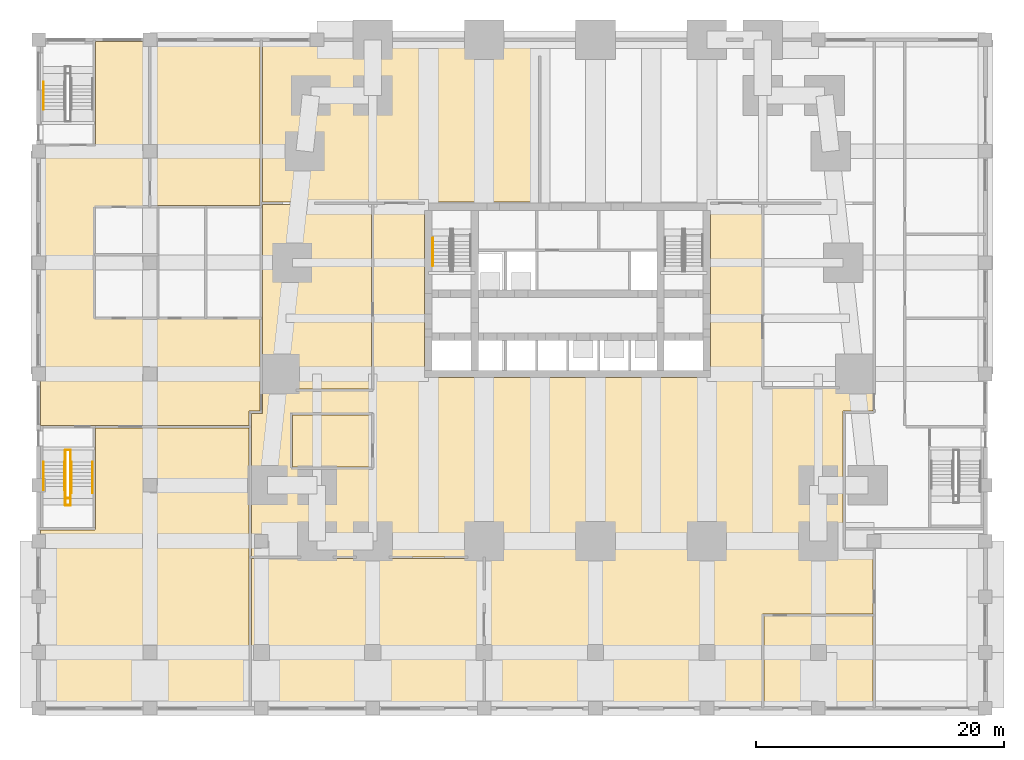
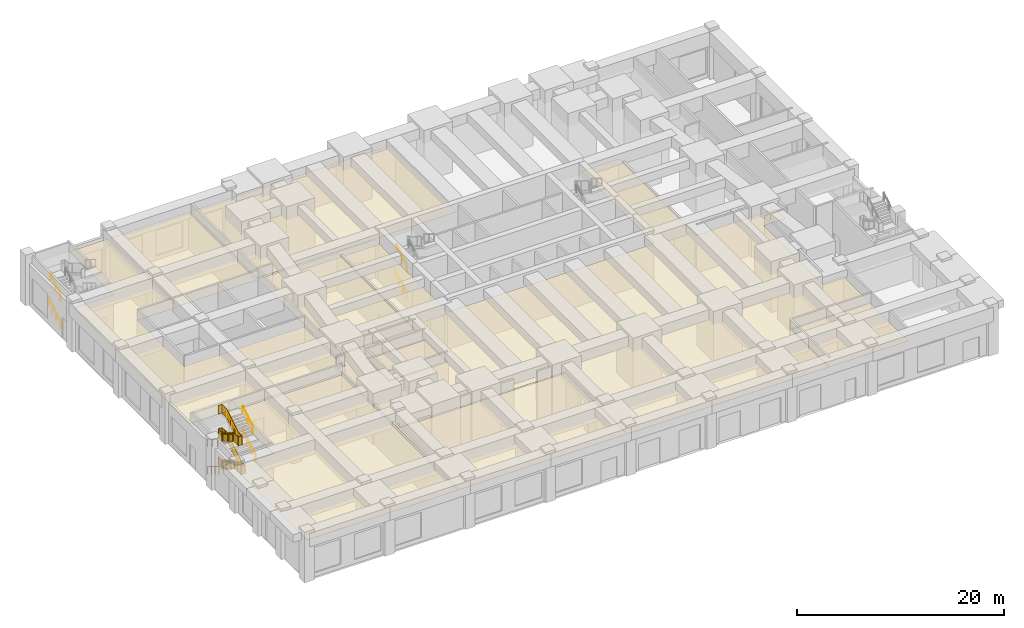
# One storey, part 9 of 13: 16 railings, 9 coverings.
"""IFC4 building model written with IfcOpenShell, lengths in metres."""

import ifcopenshell
import ifcopenshell.guid

model = None  # the IFC model being written
_history = None  # IfcOwnerHistory: only IFC2X3 demands one
_inside = {}  # id of a spatial element -> (the spatial element, [elements in it])
_under = {}  # id of a project, library or spatial element -> (it, [spatial elements below it])
_declared = {}  # id of a project -> (the project, [libraries it declares])
_typed = {}  # id of a type object -> (the type object, [elements of that type])
_made_of = {}  # id of a material, layer set ... -> (it, [elements and type objects made of it])


def new_model(schema):
    """Start an empty IFC model of exactly this schema.

    Asked for "IFC4X3", IfcOpenShell would pick the latest addendum, in which some entities
    have other attributes; the version numbers below select the first issue.
    IFC2X3 requires an IfcOwnerHistory on every rooted entity: one is made here for all.
    """
    global model, _history
    if schema == "IFC4X3":
        model = ifcopenshell.file(schema_version=(4, 3, 0, 0))
    else:
        model = ifcopenshell.file(schema=schema)
    _inside.clear()
    _under.clear()
    _declared.clear()
    _typed.clear()
    _made_of.clear()
    _history = None
    if model.schema == "IFC2X3":
        org = make("IfcOrganization", Name="unknown")
        user = make(
            "IfcPersonAndOrganization",
            ThePerson=make("IfcPerson", FamilyName="unknown"),
            TheOrganization=org,
        )
        app = make(
            "IfcApplication",
            ApplicationDeveloper=org,
            Version="unknown",
            ApplicationFullName="unknown",
            ApplicationIdentifier="unknown",
        )
        _history = make(
            "IfcOwnerHistory",
            OwningUser=user,
            OwningApplication=app,
            ChangeAction="ADDED",
            CreationDate=0,
        )
    return model


def make(cls, **values):
    """One entity of the class cls with the attributes given. An attribute that is None is left unset."""
    return model.create_entity(
        cls, **{name: value for name, value in values.items() if value is not None}
    )


def rooted(cls, **values):
    """An entity with a GlobalId (a new one), such as an element, a storey or a relation."""
    return make(cls, GlobalId=ifcopenshell.guid.new(), OwnerHistory=_history, **values)


def si_unit(unit_type, name, prefix=None):
    """IfcSIUnit, for example si_unit("LENGTHUNIT", "METRE", prefix="MILLI")."""
    return make("IfcSIUnit", UnitType=unit_type, Prefix=prefix, Name=name)


def assignment(units):
    """IfcUnitAssignment: the units of a project."""
    return None if units is None else make("IfcUnitAssignment", Units=units)


def point(xyz):
    """IfcCartesianPoint."""
    return None if xyz is None else make("IfcCartesianPoint", Coordinates=xyz)


def direction(xyz):
    """IfcDirection."""
    return None if xyz is None else make("IfcDirection", DirectionRatios=xyz)


def frame(location, z_axis=None, x_axis=None):
    """IfcAxis2Placement3D, a coordinate frame: its origin and axes. An axis left out is left unset."""
    return make(
        "IfcAxis2Placement3D",
        Location=point(location),
        Axis=direction(z_axis),
        RefDirection=direction(x_axis),
    )


def frame_2d(location, x_axis=None):
    """IfcAxis2Placement2D, a coordinate frame in the plane: its origin and x axis."""
    return make(
        "IfcAxis2Placement2D", Location=point(location), RefDirection=direction(x_axis)
    )


def origin():
    """The frame at (0, 0, 0) with its axes left unset."""
    return frame((0.0, 0.0, 0.0))


def origin_2d():
    """The frame at (0, 0) in the plane with its x axis left unset."""
    return frame_2d((0.0, 0.0))


def place(relative_to, where):
    """IfcLocalPlacement: puts the frame where relative to a parent placement (None: the world)."""
    return make(
        "IfcLocalPlacement", PlacementRelTo=relative_to, RelativePlacement=where
    )


def context(
    kind, dimensions, precision=None, world=None, true_north=None, identifier=None
):
    """IfcGeometricRepresentationContext, for example the 3D "Model" context."""
    return make(
        "IfcGeometricRepresentationContext",
        ContextIdentifier=identifier,
        ContextType=kind,
        CoordinateSpaceDimension=dimensions,
        Precision=precision,
        WorldCoordinateSystem=world,
        TrueNorth=true_north,
    )


def subcontext(parent, identifier, kind, view, scale=None):
    """IfcGeometricRepresentationSubContext, for example "Body" below "Model"."""
    return make(
        "IfcGeometricRepresentationSubContext",
        ContextIdentifier=identifier,
        ContextType=kind,
        ParentContext=parent,
        TargetScale=scale,
        TargetView=view,
    )


def project(units=None, contexts=None):
    """IfcProject with its units and contexts."""
    return rooted(
        "IfcProject",
        Name="project",
        RepresentationContexts=contexts,
        UnitsInContext=assignment(units),
    )


def spatial(cls, under=None, at=None, **own):
    """A site, building, storey or space (cls), placed at a placement, below another one or the project."""
    s = rooted(cls, ObjectPlacement=at, **own)
    if under is not None:
        _under.setdefault(under.id(), (under, []))[1].append(s)
    return s


def polyline(points):
    """IfcPolyline through the points."""
    return make("IfcPolyline", Points=[point(p) for p in points])


def profile(cls, at=None, kind="AREA", **sizes):
    """A parametric profile (cls). Its sizes go by their IFC names, for example OverallWidth=200.0."""
    return make(cls, ProfileType=kind, Position=at, **sizes)


def circle(**sizes):
    """IfcCircleProfileDef."""
    return profile("IfcCircleProfileDef", **sizes)


def outline(outer, holes=None, kind="AREA"):
    """IfcArbitraryClosedProfileDef: a profile drawn as a closed curve; with holes, ...WithVoids."""
    if holes is None:
        return make("IfcArbitraryClosedProfileDef", ProfileType=kind, OuterCurve=outer)
    return make(
        "IfcArbitraryProfileDefWithVoids",
        ProfileType=kind,
        OuterCurve=outer,
        InnerCurves=holes,
    )


def extrude(swept, where, along, depth):
    """IfcExtrudedAreaSolid: the profile swept, set in the frame where, extruded along a direction by depth."""
    return make(
        "IfcExtrudedAreaSolid",
        SweptArea=swept,
        Position=where,
        ExtrudedDirection=direction(along),
        Depth=depth,
    )


def shape(context_of_items, identifier, shape_type, items):
    """IfcShapeRepresentation: the items that make up one representation, for example the "Body"."""
    return make(
        "IfcShapeRepresentation",
        ContextOfItems=context_of_items,
        RepresentationIdentifier=identifier,
        RepresentationType=shape_type,
        Items=items,
    )


def material(Name=None, Category=None):
    """IfcMaterial."""
    return make("IfcMaterial", Name=Name, Category=Category)


def layer(
    of_material, thickness, ventilated=None, Name=None, Category=None, Priority=None
):
    """IfcMaterialLayer: one layer of a wall or slab, of a material (None: an air gap)."""
    return make(
        "IfcMaterialLayer",
        Material=of_material,
        LayerThickness=thickness,
        IsVentilated=ventilated,
        Name=Name,
        Category=Category,
        Priority=Priority,
    )


def layer_set(layers, Name=None):
    """IfcMaterialLayerSet."""
    return make("IfcMaterialLayerSet", MaterialLayers=layers, LayerSetName=Name)


def made_of(thing, what):
    """Note that an element or type object is made of a material, layer set ...; save() writes the relation."""
    if what is not None:
        _made_of.setdefault(what.id(), (what, []))[1].append(thing)
    return thing


def type_object(cls, material=None, **own):
    """A type object (cls), such as IfcWallType, which elements share."""
    return made_of(rooted(cls, **own), material)


def element(
    cls,
    number,
    at=None,
    inside=None,
    cuts=None,
    type_object=None,
    material=None,
    context=None,
    identifier="Body",
    shape_type=None,
    held_by="IfcProductDefinitionShape",
    body=None,
    shapes=None,
    **own,
):
    """One element of the class cls, such as IfcWall. Its Tag is "e" and its number.

    at: its placement. inside: the storey or other place that contains it. cuts: it is an
    opening in that element (IfcRelVoidsElement). A single representation is given by context,
    identifier, shape_type and body (its items); several are given by shapes. held_by: the class
    of the entity that holds the representations. save() writes the other relations.
    """
    e = rooted(cls, Tag="e%d" % number, ObjectPlacement=at, **own)
    if body is not None:
        shapes = [shape(context, identifier, shape_type, body)]
    if shapes is not None:
        e.Representation = make(held_by, Representations=shapes)
    if inside is not None:
        _inside.setdefault(inside.id(), (inside, []))[1].append(e)
    if cuts is not None:
        rooted(
            "IfcRelVoidsElement", RelatingBuildingElement=cuts, RelatedOpeningElement=e
        )
    if type_object is not None:
        _typed.setdefault(type_object.id(), (type_object, []))[1].append(e)
    return made_of(e, material)


def aggregate(whole, parts):
    """IfcRelAggregates: a whole, such as a stair, and the parts it consists of."""
    return rooted("IfcRelAggregates", RelatingObject=whole, RelatedObjects=parts)


def save(model, path):
    """Write the relations noted so far, then the file.

    IfcRelAggregates (storeys below a building ...), IfcRelContainedInSpatialStructure (elements
    in a storey), IfcRelDefinesByType, IfcRelAssociatesMaterial and IfcRelDeclares: one each for
    every whole, place, type object, material and project.
    """
    for whole, parts in _under.values():
        aggregate(whole, parts)
    for where, things in _inside.values():
        rooted(
            "IfcRelContainedInSpatialStructure",
            RelatedElements=things,
            RelatingStructure=where,
        )
    for kind, things in _typed.values():
        rooted("IfcRelDefinesByType", RelatedObjects=things, RelatingType=kind)
    for what, things in _made_of.values():
        rooted("IfcRelAssociatesMaterial", RelatedObjects=things, RelatingMaterial=what)
    for by, libraries in _declared.values():
        rooted("IfcRelDeclares", RelatingContext=by, RelatedDefinitions=libraries)
    model.write(path)


model = new_model("IFC4")

# Units and contexts
model_context = context("Model", 3, precision=1e-05, world=origin(), true_north=direction((0.0, 1.0)))
body_context = subcontext(model_context, "Body", "Model", "MODEL_VIEW")
ifc_project = project(units=[si_unit("LENGTHUNIT", "METRE"), si_unit("AREAUNIT", "SQUARE_METRE"), si_unit("VOLUMEUNIT", "CUBIC_METRE"), si_unit("PLANEANGLEUNIT", "RADIAN"), si_unit("MASSUNIT", "GRAM", prefix="KILO")], contexts=[model_context])

# Site, building, storey
site_placement = place(None, origin())
site = spatial("IfcSite", under=ifc_project, at=site_placement, CompositionType="ELEMENT")
building_placement = place(site_placement, origin())
building = spatial("IfcBuilding", under=site, at=building_placement, Name="Kilele Tower Hotel", CompositionType="ELEMENT")
storey_placement = place(building_placement, origin())
storey = spatial("IfcBuildingStorey", under=building, at=storey_placement, Name="L00", CompositionType="ELEMENT", Elevation=0.0)

# Railings
ifc_material_1 = material(Name="Steel handrail", Category="steel")
railing_type_1 = type_object("IfcRailingType", Name="Handrail 900", PredefinedType="HANDRAIL", material=ifc_material_1)
railing_1_placement = place(storey_placement, frame((13.85009765625, 22.239990234375, 0.17138671875)))
element("IfcRailing", 1, at=railing_1_placement, inside=storey, type_object=railing_type_1, Name="Handrail ST1 flight 1", PredefinedType="HANDRAIL", context=body_context, shape_type="SweptSolid", body=[
    extrude(circle(Radius=0.02490234375, at=origin_2d()), frame((0.0, 0.0, 0.875), z_axis=(0.0, 0.852824270871, 0.522198011308), x_axis=(-1.0, 0.0, 0.0)), (0.0, 0.0, 1.0), 2.62646484375),
    extrude(circle(Radius=0.02001953125, at=origin_2d()), origin(), (0.0, 0.0, 1.0), 0.849853515625),
    extrude(circle(Radius=0.02001953125, at=origin_2d()), frame((0.0, 0.74658203125, 0.457275390625)), (0.0, 0.0, 1.0), 0.849853515625),
    extrude(circle(Radius=0.02001953125, at=origin_2d()), frame((0.0, 1.493408203125, 0.914306640625)), (0.0, 0.0, 1.0), 0.849853515625),
    extrude(circle(Radius=0.02001953125, at=origin_2d()), frame((0.0, 2.239990234375, 1.37158203125)), (0.0, 0.0, 1.0), 0.849853515625),
])
railing_2_placement = place(storey_placement, frame((13.85009765625, 22.239990234375, 3.428466796875)))
element("IfcRailing", 2, at=railing_2_placement, inside=storey, type_object=railing_type_1, Name="Handrail ST1 flight 3", PredefinedType="HANDRAIL", context=body_context, shape_type="SweptSolid", body=[
    extrude(circle(Radius=0.02490234375, at=origin_2d()), frame((0.0, 0.0, 0.875), z_axis=(0.0, 0.852808822406, 0.522223240029), x_axis=(-1.0, 0.0, 0.0)), (0.0, 0.0, 1.0), 2.29833984375),
    extrude(circle(Radius=0.02001953125, at=origin_2d()), origin(), (0.0, 0.0, 1.0), 0.849853515625),
    extrude(circle(Radius=0.02001953125, at=origin_2d()), frame((0.0, 0.97998046875, 0.60009765625)), (0.0, 0.0, 1.0), 0.849853515625),
    extrude(circle(Radius=0.02001953125, at=origin_2d()), frame((0.0, 1.9599609375, 1.2001953125)), (0.0, 0.0, 1.0), 0.849853515625),
])
railing_3_placement = place(storey_placement, frame((-17.60009765625, 34.864990234375, 0.17138671875)))
element("IfcRailing", 3, at=railing_3_placement, inside=storey, type_object=railing_type_1, Name="Handrail ST3 flight 1", PredefinedType="HANDRAIL", context=body_context, shape_type="SweptSolid", body=[
    extrude(circle(Radius=0.02490234375, at=origin_2d()), frame((0.0, 0.0, 0.875), z_axis=(0.0, 0.852824270871, 0.522198011308), x_axis=(-1.0, 0.0, 0.0)), (0.0, 0.0, 1.0), 2.62646484375),
    extrude(circle(Radius=0.02001953125, at=origin_2d()), origin(), (0.0, 0.0, 1.0), 0.849853515625),
    extrude(circle(Radius=0.02001953125, at=origin_2d()), frame((0.0, 0.74658203125, 0.457275390625)), (0.0, 0.0, 1.0), 0.849853515625),
    extrude(circle(Radius=0.02001953125, at=origin_2d()), frame((0.0, 1.493408203125, 0.914306640625)), (0.0, 0.0, 1.0), 0.849853515625),
    extrude(circle(Radius=0.02001953125, at=origin_2d()), frame((0.0, 2.239990234375, 1.37158203125)), (0.0, 0.0, 1.0), 0.849853515625),
])
railing_4_placement = place(storey_placement, frame((-17.60009765625, 34.864990234375, 3.428466796875)))
element("IfcRailing", 4, at=railing_4_placement, inside=storey, type_object=railing_type_1, Name="Handrail ST3 flight 3", PredefinedType="HANDRAIL", context=body_context, shape_type="SweptSolid", body=[
    extrude(circle(Radius=0.02490234375, at=origin_2d()), frame((0.0, 0.0, 0.875), z_axis=(0.0, 0.852808822406, 0.522223240029), x_axis=(-1.0, 0.0, 0.0)), (0.0, 0.0, 1.0), 2.29833984375),
    extrude(circle(Radius=0.02001953125, at=origin_2d()), origin(), (0.0, 0.0, 1.0), 0.849853515625),
    extrude(circle(Radius=0.02001953125, at=origin_2d()), frame((0.0, 0.97998046875, 0.60009765625)), (0.0, 0.0, 1.0), 0.849853515625),
    extrude(circle(Radius=0.02001953125, at=origin_2d()), frame((0.0, 1.9599609375, 1.2001953125)), (0.0, 0.0, 1.0), 0.849853515625),
])
for number, where, name in (
    (5, (-17.60009765625, 6.385009765625, 0.17138671875), "Handrail ST4 flight 1"),
    (6, (-15.89990234375, 6.385009765625, 0.17138671875), "Handrail ST4 flight 1"),
):
    element("IfcRailing", number, at=place(storey_placement, frame(where)), inside=storey, type_object=railing_type_1, Name=name, PredefinedType="HANDRAIL", context=body_context, shape_type="SweptSolid", body=[
        extrude(circle(Radius=0.02490234375, at=origin_2d()), frame((0.0, 0.0, 0.875), z_axis=(0.0, -0.852824270871, 0.522198011308), x_axis=(1.0, 0.0, 0.0)), (0.0, 0.0, 1.0), 2.62646484375),
        extrude(circle(Radius=0.02001953125, at=origin_2d()), origin(), (0.0, 0.0, 1.0), 0.849853515625),
        extrude(circle(Radius=0.02001953125, at=origin_2d()), frame((0.0, -0.74658203125, 0.457275390625)), (0.0, 0.0, 1.0), 0.849853515625),
        extrude(circle(Radius=0.02001953125, at=origin_2d()), frame((0.0, -1.493408203125, 0.914306640625)), (0.0, 0.0, 1.0), 0.849853515625),
        extrude(circle(Radius=0.02001953125, at=origin_2d()), frame((0.0, -2.239990234375, 1.37158203125)), (0.0, 0.0, 1.0), 0.849853515625),
    ])
for number, where, name in (
    (7, (-15.35009765625, 3.864990234375, 1.71435546875), "Handrail ST4 flight 2"),
    (8, (-13.64990234375, 3.864990234375, 1.71435546875), "Handrail ST4 flight 2"),
):
    element("IfcRailing", number, at=place(storey_placement, frame(where)), inside=storey, type_object=railing_type_1, Name=name, PredefinedType="HANDRAIL", context=body_context, shape_type="SweptSolid", body=[
        extrude(circle(Radius=0.02490234375, at=origin_2d()), frame((0.0, 0.0, 0.875), z_axis=(0.0, 0.852873080145, 0.522118290393), x_axis=(-1.0, 0.0, 0.0)), (0.0, 0.0, 1.0), 2.954833984375),
        extrude(circle(Radius=0.02001953125, at=origin_2d()), origin(), (0.0, 0.0, 1.0), 0.849853515625),
        extrude(circle(Radius=0.02001953125, at=origin_2d()), frame((0.0, 0.840087890625, 0.51416015625)), (0.0, 0.0, 1.0), 0.849853515625),
        extrude(circle(Radius=0.02001953125, at=origin_2d()), frame((0.0, 1.679931640625, 1.028564453125)), (0.0, 0.0, 1.0), 0.849853515625),
        extrude(circle(Radius=0.02001953125, at=origin_2d()), frame((0.0, 2.52001953125, 1.542724609375)), (0.0, 0.0, 1.0), 0.849853515625),
    ])
for number, where, name in (
    (9, (-17.60009765625, 6.385009765625, 3.428466796875), "Handrail ST4 flight 3"),
    (10, (-15.89990234375, 6.385009765625, 3.428466796875), "Handrail ST4 flight 3"),
):
    element("IfcRailing", number, at=place(storey_placement, frame(where)), inside=storey, type_object=railing_type_1, Name=name, PredefinedType="HANDRAIL", context=body_context, shape_type="SweptSolid", body=[
        extrude(circle(Radius=0.02490234375, at=origin_2d()), frame((0.0, 0.0, 0.875), z_axis=(0.0, -0.852808822406, 0.522223240029), x_axis=(1.0, 0.0, 0.0)), (0.0, 0.0, 1.0), 2.29833984375),
        extrude(circle(Radius=0.02001953125, at=origin_2d()), origin(), (0.0, 0.0, 1.0), 0.849853515625),
        extrude(circle(Radius=0.02001953125, at=origin_2d()), frame((0.0, -0.97998046875, 0.60009765625)), (0.0, 0.0, 1.0), 0.849853515625),
        extrude(circle(Radius=0.02001953125, at=origin_2d()), frame((0.0, -1.9599609375, 1.2001953125)), (0.0, 0.0, 1.0), 0.849853515625),
    ])
for number, where, name in (
    (11, (-15.35009765625, 4.425048828125, 4.800048828125), "Handrail ST4 flight 4"),
    (12, (-13.64990234375, 4.425048828125, 4.800048828125), "Handrail ST4 flight 4"),
):
    element("IfcRailing", number, at=place(storey_placement, frame(where)), inside=storey, type_object=railing_type_1, Name=name, PredefinedType="HANDRAIL", context=body_context, shape_type="SweptSolid", body=[
        extrude(circle(Radius=0.02490234375, at=origin_2d()), frame((0.0, 0.0, 0.875), z_axis=(0.0, 0.852856131449, 0.522145974847), x_axis=(-1.0, 0.0, 0.0)), (0.0, 0.0, 1.0), 2.298095703125),
        extrude(circle(Radius=0.02001953125, at=origin_2d()), origin(), (0.0, 0.0, 1.0), 0.849853515625),
        extrude(circle(Radius=0.02001953125, at=origin_2d()), frame((0.0, 0.97998046875, 0.60009765625)), (0.0, 0.0, 1.0), 0.849853515625),
        extrude(circle(Radius=0.02001953125, at=origin_2d()), frame((0.0, 1.9599609375, 1.199951171875)), (0.0, 0.0, 1.0), 0.849853515625),
    ])
ifc_material_2 = material(Name="Steel guard", Category="steel")
railing_type_2 = type_object("IfcRailingType", Name="Stair guard 1100", PredefinedType="GUARDRAIL", material=ifc_material_2)
railing_5_placement = place(storey_placement, frame((-15.840087890625, 7.35009765625, 0.0)))
element("IfcRailing", 13, at=railing_5_placement, inside=storey, type_object=railing_type_2, Name="Stair well guard ST4 flight 1", PredefinedType="GUARDRAIL", context=body_context, shape_type="SweptSolid", body=[
    extrude(circle(Radius=0.02490234375, at=origin_2d()), frame((0.0, 0.0, 1.0751953125), z_axis=(0.0, -1.0, 0.0), x_axis=(1.0, 0.0, 0.0)), (0.0, 0.0, 1.0), 0.68505859375),
    extrude(circle(Radius=0.02490234375, at=origin_2d()), frame((0.0, -0.68505859375, 1.0751953125), z_axis=(0.0, -0.852836285881, 0.522178388565), x_axis=(1.0, 0.0, 0.0)), (0.0, 0.0, 1.0), 2.954833984375),
    extrude(circle(Radius=0.02490234375, at=origin_2d()), frame((0.0, -3.205078125, 2.6181640625), z_axis=(0.0, -1.0, 0.0), x_axis=(1.0, 0.0, 0.0)), (0.0, 0.0, 1.0), 1.2451171875),
    extrude(circle(Radius=0.02490234375, at=origin_2d()), frame((0.0, -4.4501953125, 2.6181640625), z_axis=(1.0, 0.0, 0.0), x_axis=(0.0, 1.0, 0.0)), (0.0, 0.0, 1.0), 0.43017578125),
    extrude(circle(Radius=0.02490234375, at=origin_2d()), origin(), (0.0, 0.0, 1.0), 1.050048828125),
    extrude(circle(Radius=0.02490234375, at=origin_2d()), frame((0.0, -0.68505859375, 0.0)), (0.0, 0.0, 1.0), 1.050048828125),
    extrude(circle(Radius=0.02490234375, at=origin_2d()), frame((0.0, -1.525146484375, 0.514404296875)), (0.0, 0.0, 1.0), 1.050048828125),
    extrude(circle(Radius=0.02490234375, at=origin_2d()), frame((0.0, -2.364990234375, 1.028564453125)), (0.0, 0.0, 1.0), 1.050048828125),
    extrude(circle(Radius=0.02490234375, at=origin_2d()), frame((0.0, -3.205078125, 1.54296875)), (0.0, 0.0, 1.0), 1.050048828125),
    extrude(circle(Radius=0.02490234375, at=origin_2d()), frame((0.0, -3.82763671875, 1.54296875)), (0.0, 0.0, 1.0), 1.050048828125),
    extrude(circle(Radius=0.02490234375, at=origin_2d()), frame((0.0, -4.4501953125, 1.54296875)), (0.0, 0.0, 1.0), 1.050048828125),
    extrude(circle(Radius=0.02490234375, at=origin_2d()), frame((0.43017578125, -4.4501953125, 1.54296875)), (0.0, 0.0, 1.0), 1.050048828125),
    extrude(outline(polyline([(0.0, 0.030029296875), (0.672607421875, 0.030029296875), (0.672607421875, 1.050048828125), (0.0, 1.050048828125), (0.0, 0.030029296875)])), frame((0.005859375, 0.0, 0.0), z_axis=(-1.0, 0.0, 0.0), x_axis=(0.0, -1.0, 0.0)), (0.0, 0.0, 1.0), 0.011962890625),
    extrude(outline(polyline([(0.012451171875, 0.030029296875), (0.25, 0.030029296875), (0.25, 0.201416015625), (0.530029296875, 0.201416015625), (0.530029296875, 0.372802734375), (0.81005859375, 0.372802734375), (0.81005859375, 0.54443359375), (1.090087890625, 0.54443359375), (1.090087890625, 0.7158203125), (1.369873046875, 0.7158203125), (1.369873046875, 0.88720703125), (1.64990234375, 0.88720703125), (1.64990234375, 1.05859375), (1.929931640625, 1.05859375), (1.929931640625, 1.230224609375), (2.2099609375, 1.230224609375), (2.2099609375, 1.401611328125), (2.489990234375, 1.401611328125), (2.489990234375, 1.572998046875), (2.507568359375, 1.572998046875), (2.507568359375, 2.5810546875), (0.012451171875, 1.053466796875), (0.012451171875, 0.030029296875)])), frame((0.005859375, -0.68505859375, 0.0), z_axis=(-1.0, 0.0, 0.0), x_axis=(0.0, -1.0, 0.0)), (0.0, 0.0, 1.0), 0.011962890625),
    extrude(outline(polyline([(0.012451171875, 0.030029296875), (1.232666015625, 0.030029296875), (1.232666015625, 1.050048828125), (0.012451171875, 1.050048828125), (0.012451171875, 0.030029296875)])), frame((0.005859375, -3.205078125, 1.54296875), z_axis=(-1.0, 0.0, 0.0), x_axis=(0.0, -1.0, 0.0)), (0.0, 0.0, 1.0), 0.011962890625),
    extrude(outline(polyline([(0.012451171875, 0.030029296875), (0.43017578125, 0.030029296875), (0.43017578125, 1.050048828125), (0.012451171875, 1.050048828125), (0.012451171875, 0.030029296875)])), frame((0.0, -4.4443359375, 1.54296875), z_axis=(0.0, -1.0, 0.0), x_axis=(1.0, 0.0, 0.0)), (0.0, 0.0, 1.0), 0.011962890625),
])
railing_6_placement = place(storey_placement, frame((-15.409912109375, 2.89990234375, 1.54296875)))
element("IfcRailing", 14, at=railing_6_placement, inside=storey, type_object=railing_type_2, Name="Stair well guard ST4 flight 2", PredefinedType="GUARDRAIL", context=body_context, shape_type="SweptSolid", body=[
    extrude(circle(Radius=0.02490234375, at=origin_2d()), frame((0.0, 0.0, 1.0751953125), z_axis=(0.0, 1.0, 0.0), x_axis=(-1.0, 0.0, 0.0)), (0.0, 0.0, 1.0), 0.68505859375),
    extrude(circle(Radius=0.02490234375, at=origin_2d()), frame((0.0, 0.68505859375, 1.0751953125), z_axis=(0.0, 0.852879011914, 0.522108600807), x_axis=(-1.0, 0.0, 0.0)), (0.0, 0.0, 1.0), 3.282958984375),
    extrude(circle(Radius=0.02490234375, at=origin_2d()), frame((0.0, 3.485107421875, 2.7890625), z_axis=(0.0, 1.0, 0.0), x_axis=(-1.0, 0.0, 0.0)), (0.0, 0.0, 1.0), 0.965087890625),
    extrude(circle(Radius=0.02490234375, at=origin_2d()), frame((0.0, 4.4501953125, 2.7890625), z_axis=(-1.0, 0.0, 0.0), x_axis=(0.0, -1.0, 0.0)), (0.0, 0.0, 1.0), 0.43017578125),
    extrude(circle(Radius=0.02490234375, at=origin_2d()), origin(), (0.0, 0.0, 1.0), 1.050048828125),
    extrude(circle(Radius=0.02490234375, at=origin_2d()), frame((0.0, 0.68505859375, 0.0)), (0.0, 0.0, 1.0), 1.050048828125),
    extrude(circle(Radius=0.02490234375, at=origin_2d()), frame((0.0, 1.618408203125, 0.5712890625)), (0.0, 0.0, 1.0), 1.050048828125),
    extrude(circle(Radius=0.02490234375, at=origin_2d()), frame((0.0, 2.5517578125, 1.142822265625)), (0.0, 0.0, 1.0), 1.050048828125),
    extrude(circle(Radius=0.02490234375, at=origin_2d()), frame((0.0, 3.485107421875, 1.714111328125)), (0.0, 0.0, 1.0), 1.050048828125),
    extrude(circle(Radius=0.02490234375, at=origin_2d()), frame((0.0, 4.4501953125, 1.714111328125)), (0.0, 0.0, 1.0), 1.050048828125),
    extrude(circle(Radius=0.02490234375, at=origin_2d()), frame((-0.43017578125, 4.4501953125, 1.714111328125)), (0.0, 0.0, 1.0), 1.050048828125),
    extrude(outline(polyline([(0.0, 0.030029296875), (0.672607421875, 0.030029296875), (0.672607421875, 1.050048828125), (0.0, 1.050048828125), (0.0, 0.030029296875)])), frame((-0.005859375, 0.0, 0.0), z_axis=(1.0, 0.0, 0.0), x_axis=(0.0, 1.0, 0.0)), (0.0, 0.0, 1.0), 0.011962890625),
    extrude(outline(polyline([(0.012451171875, 0.030029296875), (0.25, 0.030029296875), (0.25, 0.201416015625), (0.530029296875, 0.201416015625), (0.530029296875, 0.372802734375), (0.81005859375, 0.372802734375), (0.81005859375, 0.544189453125), (1.090087890625, 0.544189453125), (1.090087890625, 0.715576171875), (1.3701171875, 0.715576171875), (1.3701171875, 0.88720703125), (1.64990234375, 0.88720703125), (1.64990234375, 1.05859375), (1.929931640625, 1.05859375), (1.929931640625, 1.22998046875), (2.2099609375, 1.22998046875), (2.2099609375, 1.4013671875), (2.489990234375, 1.4013671875), (2.489990234375, 1.57275390625), (2.77001953125, 1.57275390625), (2.77001953125, 1.744140625), (2.78759765625, 1.744140625), (2.78759765625, 2.752197265625), (0.012451171875, 1.053466796875), (0.012451171875, 0.030029296875)])), frame((-0.005859375, 0.68505859375, 0.0), z_axis=(1.0, 0.0, 0.0), x_axis=(0.0, 1.0, 0.0)), (0.0, 0.0, 1.0), 0.011962890625),
    extrude(outline(polyline([(0.012451171875, 0.030029296875), (0.95263671875, 0.030029296875), (0.95263671875, 1.050048828125), (0.012451171875, 1.050048828125), (0.012451171875, 0.030029296875)])), frame((-0.005859375, 3.485107421875, 1.714111328125), z_axis=(1.0, 0.0, 0.0), x_axis=(0.0, 1.0, 0.0)), (0.0, 0.0, 1.0), 0.011962890625),
    extrude(outline(polyline([(0.012451171875, 0.030029296875), (0.43017578125, 0.030029296875), (0.43017578125, 1.050048828125), (0.012451171875, 1.050048828125), (0.012451171875, 0.030029296875)])), frame((0.0, 4.4443359375, 1.714111328125), z_axis=(0.0, 1.0, 0.0), x_axis=(-1.0, 0.0, 0.0)), (0.0, 0.0, 1.0), 0.011962890625),
])
railing_7_placement = place(storey_placement, frame((-15.840087890625, 7.35009765625, 3.257080078125)))
element("IfcRailing", 15, at=railing_7_placement, inside=storey, type_object=railing_type_2, Name="Stair well guard ST4 flight 3", PredefinedType="GUARDRAIL", context=body_context, shape_type="SweptSolid", body=[
    extrude(circle(Radius=0.02490234375, at=origin_2d()), frame((0.0, 0.0, 1.0751953125), z_axis=(0.0, -1.0, 0.0), x_axis=(1.0, 0.0, 0.0)), (0.0, 0.0, 1.0), 0.68505859375),
    extrude(circle(Radius=0.02490234375, at=origin_2d()), frame((0.0, -0.68505859375, 1.0751953125), z_axis=(0.0, -0.852824270871, 0.522198011308), x_axis=(1.0, 0.0, 0.0)), (0.0, 0.0, 1.0), 2.62646484375),
    extrude(circle(Radius=0.02490234375, at=origin_2d()), frame((0.0, -2.925048828125, 2.44677734375), z_axis=(0.0, -1.0, 0.0), x_axis=(1.0, 0.0, 0.0)), (0.0, 0.0, 1.0), 0.965087890625),
    extrude(circle(Radius=0.02490234375, at=origin_2d()), frame((0.0, -3.89013671875, 2.44677734375), z_axis=(1.0, 0.0, 0.0), x_axis=(0.0, 1.0, 0.0)), (0.0, 0.0, 1.0), 0.43017578125),
    extrude(circle(Radius=0.02490234375, at=origin_2d()), origin(), (0.0, 0.0, 1.0), 1.050048828125),
    extrude(circle(Radius=0.02490234375, at=origin_2d()), frame((0.0, -0.68505859375, 0.0)), (0.0, 0.0, 1.0), 1.050048828125),
    extrude(circle(Radius=0.02490234375, at=origin_2d()), frame((0.0, -1.431640625, 0.457275390625)), (0.0, 0.0, 1.0), 1.050048828125),
    extrude(circle(Radius=0.02490234375, at=origin_2d()), frame((0.0, -2.178466796875, 0.914306640625)), (0.0, 0.0, 1.0), 1.050048828125),
    extrude(circle(Radius=0.02490234375, at=origin_2d()), frame((0.0, -2.925048828125, 1.37158203125)), (0.0, 0.0, 1.0), 1.050048828125),
    extrude(circle(Radius=0.02490234375, at=origin_2d()), frame((0.0, -3.89013671875, 1.37158203125)), (0.0, 0.0, 1.0), 1.050048828125),
    extrude(circle(Radius=0.02490234375, at=origin_2d()), frame((0.43017578125, -3.89013671875, 1.37158203125)), (0.0, 0.0, 1.0), 1.050048828125),
    extrude(outline(polyline([(0.0, 0.030029296875), (0.672607421875, 0.030029296875), (0.672607421875, 1.050048828125), (0.0, 1.050048828125), (0.0, 0.030029296875)])), frame((0.005859375, 0.0, 0.0), z_axis=(-1.0, 0.0, 0.0), x_axis=(0.0, -1.0, 0.0)), (0.0, 0.0, 1.0), 0.011962890625),
    extrude(outline(polyline([(0.012451171875, 0.030029296875), (0.25, 0.030029296875), (0.25, 0.201416015625), (0.530029296875, 0.201416015625), (0.530029296875, 0.373046875), (0.81005859375, 0.373046875), (0.81005859375, 0.54443359375), (1.08984375, 0.54443359375), (1.08984375, 0.7158203125), (1.369873046875, 0.7158203125), (1.369873046875, 0.88720703125), (1.64990234375, 0.88720703125), (1.64990234375, 1.05859375), (1.929931640625, 1.05859375), (1.929931640625, 1.230224609375), (2.2099609375, 1.230224609375), (2.2099609375, 1.401611328125), (2.2275390625, 1.401611328125), (2.2275390625, 2.40966796875), (0.012451171875, 1.053466796875), (0.012451171875, 0.030029296875)])), frame((0.005859375, -0.68505859375, 0.0), z_axis=(-1.0, 0.0, 0.0), x_axis=(0.0, -1.0, 0.0)), (0.0, 0.0, 1.0), 0.011962890625),
    extrude(outline(polyline([(0.012451171875, 0.030029296875), (0.95263671875, 0.030029296875), (0.95263671875, 1.050048828125), (0.012451171875, 1.050048828125), (0.012451171875, 0.030029296875)])), frame((0.005859375, -2.925048828125, 1.37158203125), z_axis=(-1.0, 0.0, 0.0), x_axis=(0.0, -1.0, 0.0)), (0.0, 0.0, 1.0), 0.011962890625),
    extrude(outline(polyline([(0.012451171875, 0.030029296875), (0.43017578125, 0.030029296875), (0.43017578125, 1.050048828125), (0.012451171875, 1.050048828125), (0.012451171875, 0.030029296875)])), frame((0.0, -3.88427734375, 1.37158203125), z_axis=(0.0, -1.0, 0.0), x_axis=(1.0, 0.0, 0.0)), (0.0, 0.0, 1.0), 0.011962890625),
])
railing_8_placement = place(storey_placement, frame((-15.409912109375, 3.4599609375, 4.628662109375)))
element("IfcRailing", 16, at=railing_8_placement, inside=storey, type_object=railing_type_2, Name="Stair well guard ST4 flight 4", PredefinedType="GUARDRAIL", context=body_context, shape_type="SweptSolid", body=[
    extrude(circle(Radius=0.02490234375, at=origin_2d()), frame((0.0, 0.0, 1.0751953125), z_axis=(0.0, 1.0, 0.0), x_axis=(-1.0, 0.0, 0.0)), (0.0, 0.0, 1.0), 0.68505859375),
    extrude(circle(Radius=0.02490234375, at=origin_2d()), frame((0.0, 0.68505859375, 1.0751953125), z_axis=(0.0, 0.852865665234, 0.522130402356), x_axis=(-1.0, 0.0, 0.0)), (0.0, 0.0, 1.0), 2.62646484375),
    extrude(circle(Radius=0.02490234375, at=origin_2d()), frame((0.0, 2.925048828125, 2.4462890625), z_axis=(0.0, 1.0, 0.0), x_axis=(-1.0, 0.0, 0.0)), (0.0, 0.0, 1.0), 0.965087890625),
    extrude(circle(Radius=0.02490234375, at=origin_2d()), frame((0.0, 3.89013671875, 2.4462890625), z_axis=(-1.0, 0.0, 0.0), x_axis=(0.0, -1.0, 0.0)), (0.0, 0.0, 1.0), 0.43017578125),
    extrude(circle(Radius=0.02490234375, at=origin_2d()), origin(), (0.0, 0.0, 1.0), 1.050048828125),
    extrude(circle(Radius=0.02490234375, at=origin_2d()), frame((0.0, 0.68505859375, 0.0)), (0.0, 0.0, 1.0), 1.050048828125),
    extrude(circle(Radius=0.02490234375, at=origin_2d()), frame((0.0, 1.431640625, 0.45703125)), (0.0, 0.0, 1.0), 1.050048828125),
    extrude(circle(Radius=0.02490234375, at=origin_2d()), frame((0.0, 2.178466796875, 0.914306640625)), (0.0, 0.0, 1.0), 1.050048828125),
    extrude(circle(Radius=0.02490234375, at=origin_2d()), frame((0.0, 2.925048828125, 1.371337890625)), (0.0, 0.0, 1.0), 1.050048828125),
    extrude(circle(Radius=0.02490234375, at=origin_2d()), frame((0.0, 3.89013671875, 1.371337890625)), (0.0, 0.0, 1.0), 1.050048828125),
    extrude(circle(Radius=0.02490234375, at=origin_2d()), frame((-0.43017578125, 3.89013671875, 1.371337890625)), (0.0, 0.0, 1.0), 1.050048828125),
    extrude(outline(polyline([(0.0, 0.030029296875), (0.672607421875, 0.030029296875), (0.672607421875, 1.050048828125), (0.0, 1.050048828125), (0.0, 0.030029296875)])), frame((-0.005859375, 0.0, 0.0), z_axis=(1.0, 0.0, 0.0), x_axis=(0.0, 1.0, 0.0)), (0.0, 0.0, 1.0), 0.011962890625),
    extrude(outline(polyline([(0.012451171875, 0.030029296875), (0.25, 0.030029296875), (0.25, 0.201416015625), (0.530029296875, 0.201416015625), (0.530029296875, 0.372802734375), (0.81005859375, 0.372802734375), (0.81005859375, 0.544189453125), (1.08984375, 0.544189453125), (1.08984375, 0.7158203125), (1.369873046875, 0.7158203125), (1.369873046875, 0.88720703125), (1.64990234375, 0.88720703125), (1.64990234375, 1.05859375), (1.929931640625, 1.05859375), (1.929931640625, 1.22998046875), (2.2099609375, 1.22998046875), (2.2099609375, 1.4013671875), (2.2275390625, 1.4013671875), (2.2275390625, 2.409423828125), (0.012451171875, 1.053466796875), (0.012451171875, 0.030029296875)])), frame((-0.005859375, 0.68505859375, 0.0), z_axis=(1.0, 0.0, 0.0), x_axis=(0.0, 1.0, 0.0)), (0.0, 0.0, 1.0), 0.011962890625),
    extrude(outline(polyline([(0.012451171875, 0.030029296875), (0.95263671875, 0.030029296875), (0.95263671875, 1.050048828125), (0.012451171875, 1.050048828125), (0.012451171875, 0.030029296875)])), frame((-0.005859375, 2.925048828125, 1.371337890625), z_axis=(1.0, 0.0, 0.0), x_axis=(0.0, 1.0, 0.0)), (0.0, 0.0, 1.0), 0.011962890625),
    extrude(outline(polyline([(0.012451171875, 0.030029296875), (0.43017578125, 0.030029296875), (0.43017578125, 1.050048828125), (0.012451171875, 1.050048828125), (0.012451171875, 0.030029296875)])), frame((0.0, 3.88427734375, 1.371337890625), z_axis=(0.0, 1.0, 0.0), x_axis=(-1.0, 0.0, 0.0)), (0.0, 0.0, 1.0), 0.011962890625),
])

# Coverings
ifc_material_3 = material(Name="Gypsum board suspended ceiling", Category="gypsum")
ifc_layer = layer(ifc_material_3, 0.02490234375)
ifc_layer_set = layer_set([ifc_layer], Name="Gypsum board suspended ceiling")
covering_type = type_object("IfcCoveringType", Name="Suspended ceiling 25", PredefinedType="CEILING", material=ifc_layer_set)
covering_1_placement = place(storey_placement, frame((0.0, 0.0, 4.39990234375)))
element("IfcCovering", 17, at=covering_1_placement, inside=storey, type_object=covering_type, Name="Suspended ceiling Event salon", PredefinedType="CEILING", context=body_context, shape_type="SweptSolid", body=[
    extrude(outline(polyline([(-1.0, 9.14990234375), (-1.0, -13.35009765625), (-17.85009765625, -13.35009765625), (-17.85009765625, 0.89990234375), (-13.5, 0.89990234375), (-13.470947265625, 0.904296875), (-13.4443359375, 0.9169921875), (-13.422607421875, 0.9365234375), (-13.411865234375, 0.952880859375), (-13.40185546875, 0.98046875), (-13.39990234375, 1.0), (-13.39990234375, 9.14990234375), (-1.0, 9.14990234375)])), origin(), (0.0, 0.0, 1.0), 0.025146484375),
])
covering_2_placement = place(storey_placement, frame((0.0, 0.0, 4.39990234375)))
element("IfcCovering", 18, at=covering_2_placement, inside=storey, type_object=covering_type, Name="Suspended ceiling Event office", PredefinedType="CEILING", context=body_context, shape_type="SweptSolid", body=[
    extrude(outline(polyline([(-0.10009765625, 27.10009765625), (-8.89990234375, 27.10009765625), (-8.89990234375, 40.35009765625), (-0.10009765625, 40.35009765625), (-0.10009765625, 27.10009765625)])), origin(), (0.0, 0.0, 1.0), 0.025146484375),
])
covering_3_placement = place(storey_placement, frame((0.0, 0.0, 4.39990234375)))
element("IfcCovering", 19, at=covering_3_placement, inside=storey, type_object=covering_type, Name="Suspended ceiling Conference entrance hall", PredefinedType="CEILING", context=body_context, shape_type="SweptSolid", body=[
    extrude(outline(polyline([(-17.85009765625, 31.89990234375), (-13.5, 31.89990234375), (-13.48046875, 31.90185546875), (-13.461669921875, 31.90771484375), (-13.4443359375, 31.9169921875), (-13.42919921875, 31.92919921875), (-13.4169921875, 31.9443359375), (-13.40771484375, 31.961669921875), (-13.40185546875, 31.98046875), (-13.39990234375, 32.0), (-13.39990234375, 40.35009765625), (-9.10009765625, 40.35009765625), (-9.10009765625, 27.0), (-13.5, 27.0), (-13.5, 18.0), (-0.10009765625, 18.0), (-0.10009765625, 10.5), (-1.0, 10.5), (-1.0, 9.35009765625), (-17.85009765625, 9.35009765625), (-17.85009765625, 31.89990234375)])), origin(), (0.0, 0.0, 1.0), 0.025146484375),
])
covering_4_placement = place(storey_placement, frame((0.0, 0.0, 4.39990234375)))
element("IfcCovering", 20, at=covering_4_placement, inside=storey, type_object=covering_type, Name="Suspended ceiling Fire command centre", PredefinedType="CEILING", context=body_context, shape_type="SweptSolid", body=[
    extrude(outline(polyline([(49.39990234375, -13.35009765625), (40.60009765625, -13.35009765625), (40.60009765625, -6.0), (49.39990234375, -6.0), (49.39990234375, -13.35009765625)])), origin(), (0.0, 0.0, 1.0), 0.025146484375),
])
covering_5_placement = place(storey_placement, frame((0.0, 0.0, 4.39990234375)))
element("IfcCovering", 21, at=covering_5_placement, inside=storey, type_object=covering_type, Name="Suspended ceiling Jewellery and gift boutique", PredefinedType="CEILING", context=body_context, shape_type="SweptSolid", body=[
    extrude(outline(polyline([(17.89990234375, -13.35009765625), (-0.800048828125, -13.35009765625), (-0.800048828125, -1.39990234375), (17.89990234375, -1.39990234375), (17.89990234375, -13.35009765625)])), origin(), (0.0, 0.0, 1.0), 0.025146484375),
])
covering_6_placement = place(storey_placement, frame((0.0, 0.0, 4.39990234375)))
element("IfcCovering", 22, at=covering_6_placement, inside=storey, type_object=covering_type, Name="Suspended ceiling Front office", PredefinedType="CEILING", context=body_context, shape_type="SweptSolid", body=[
    extrude(outline(polyline([(8.89990234375, 6.0), (2.5, 6.0), (2.5, 10.199951171875), (8.89990234375, 10.199951171875), (8.89990234375, 6.0)])), origin(), (0.0, 0.0, 1.0), 0.025146484375),
])
covering_7_placement = place(storey_placement, frame((0.0, 0.0, 4.39990234375)))
element("IfcCovering", 23, at=covering_7_placement, inside=storey, type_object=covering_type, Name="Suspended ceiling Guest relations and concierge", PredefinedType="CEILING", context=body_context, shape_type="SweptSolid", body=[
    extrude(outline(polyline([(8.89990234375, 12.300048828125), (0.10009765625, 12.300048828125), (0.10009765625, 27.199951171875), (8.89990234375, 27.199951171875), (8.89990234375, 12.300048828125)])), origin(), (0.0, 0.0, 1.0), 0.025146484375),
])
covering_8_placement = place(storey_placement, frame((0.0, 0.0, 4.39990234375)))
element("IfcCovering", 24, at=covering_8_placement, inside=storey, type_object=covering_type, Name="Suspended ceiling Cafe and patisserie", PredefinedType="CEILING", context=body_context, shape_type="SweptSolid", body=[
    extrude(outline(polyline([(22.39990234375, 27.39990234375), (0.10009765625, 27.39990234375), (0.10009765625, 40.35009765625), (22.39990234375, 40.35009765625), (22.39990234375, 27.39990234375)])), origin(), (0.0, 0.0, 1.0), 0.025146484375),
])
covering_9_placement = place(storey_placement, frame((0.0, 0.0, 4.39990234375)))
element("IfcCovering", 25, at=covering_9_placement, inside=storey, type_object=covering_type, Name="Suspended ceiling Hotel lobby", PredefinedType="CEILING", context=body_context, shape_type="SweptSolid", body=[
    extrude(outline(polyline([(40.5, -5.89990234375), (40.5, -13.35009765625), (18.0, -13.35009765625), (18.0, -1.300048828125), (-0.800048828125, -1.300048828125), (-0.800048828125, 10.300048828125), (0.10009765625, 10.300048828125), (0.10009765625, 12.199951171875), (9.0, 12.199951171875), (9.0, 27.300048828125), (13.199951171875, 27.300048828125), (13.199951171875, 13.199951171875), (36.300048828125, 13.199951171875), (36.300048828125, 27.300048828125), (40.5, 27.300048828125), (40.5, 12.39990234375), (49.39990234375, 12.39990234375), (49.39990234375, 10.5), (47.0, 10.5), (47.0, -0.75), (49.39990234375, -0.75), (49.39990234375, -5.89990234375), (40.5, -5.89990234375)]), holes=[polyline([(2.39990234375, 5.89990234375), (9.0, 5.89990234375), (9.0, 10.300048828125), (2.39990234375, 10.300048828125), (2.39990234375, 5.89990234375)])]), origin(), (0.0, 0.0, 1.0), 0.025146484375),
])

save(model, "model.ifc")
